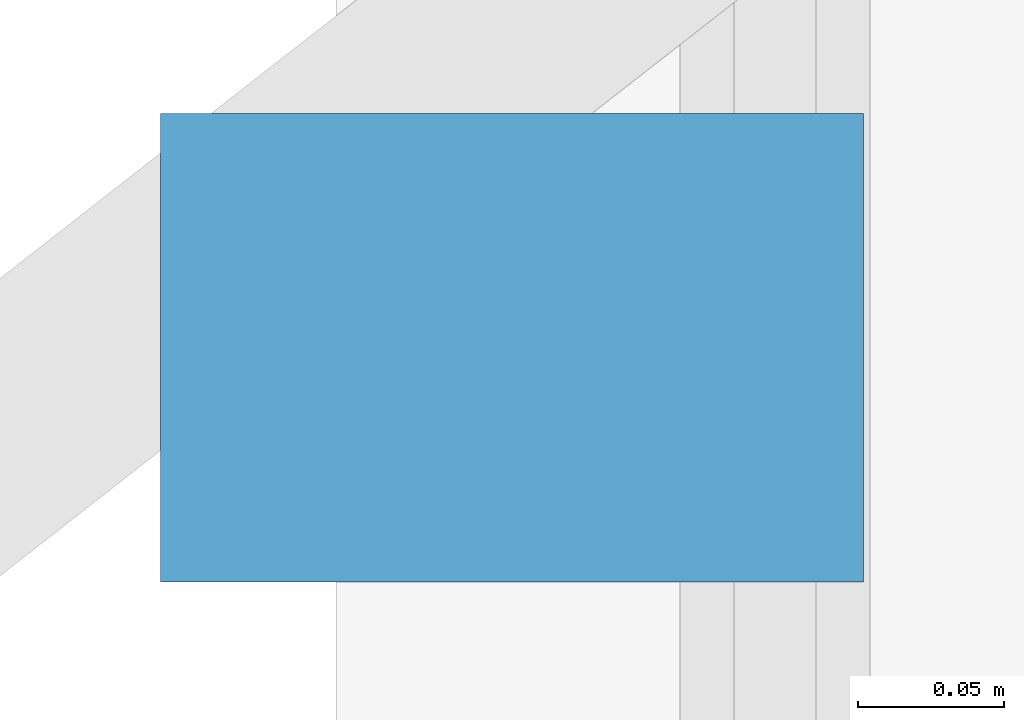
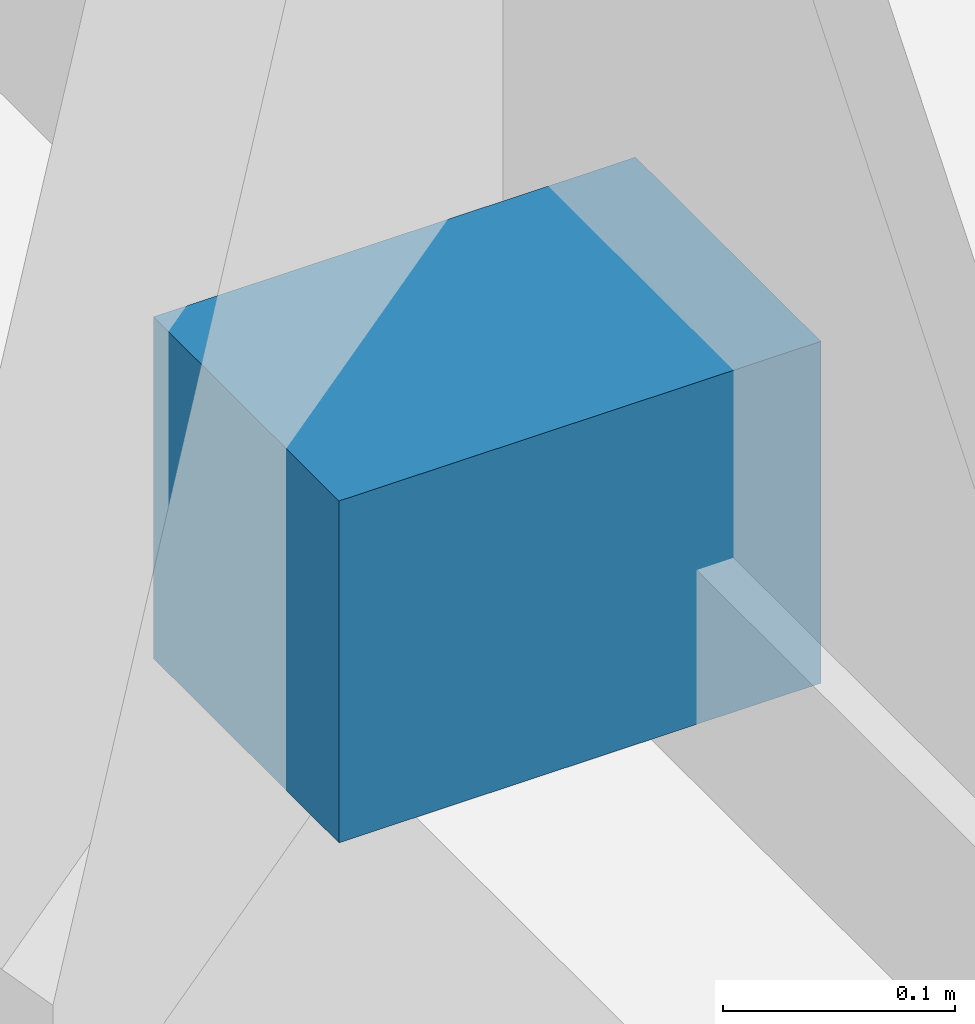
# One storey, part 27 of 29: 1 discrete accessory.
"""IFC4 building model written with IfcOpenShell, lengths in metres."""

from ifc_helpers import new_model, si_unit, direction, frame, origin, origin_2d, place, context, subcontext, project, spatial, rectangle, extrude, material, type_object, element, save


model = new_model("IFC4")

# Units and contexts
model_context = context("Model", 3, precision=1e-05, world=origin(), true_north=direction((0.0, 1.0)))
body_context = subcontext(model_context, "Body", "Model", "MODEL_VIEW")
ifc_project = project(units=[si_unit("LENGTHUNIT", "METRE"), si_unit("AREAUNIT", "SQUARE_METRE"), si_unit("VOLUMEUNIT", "CUBIC_METRE"), si_unit("PLANEANGLEUNIT", "RADIAN"), si_unit("MASSUNIT", "GRAM", prefix="KILO")], contexts=[model_context])

# Site, building, storey
site_placement = place(None, origin())
site = spatial("IfcSite", under=ifc_project, at=site_placement, CompositionType="ELEMENT")
building_placement = place(site_placement, origin())
building = spatial("IfcBuilding", under=site, at=building_placement, Name="Calvorn Quay Hotel", CompositionType="ELEMENT")
storey_placement = place(building_placement, frame((0.0, 0.0, 38.39990234375)))
storey = spatial("IfcBuildingStorey", under=building, at=storey_placement, Name="L08", CompositionType="ELEMENT", Elevation=38.39990234375)

# Discrete accessory
ifc_material = material(Name="Steel Q355B", Category="steel")
discrete_accessory_type = type_object("IfcDiscreteAccessoryType", Name="ACC-FIN-BRACKET", PredefinedType="BRACKET", material=ifc_material)
discrete_accessory_placement = place(storey_placement, frame((0.06005859375, 37.25, 0.0302734375), z_axis=(0.0, 0.0, 1.0), x_axis=(1.0, 0.0, 0.0)))
element("IfcDiscreteAccessory", 1, at=discrete_accessory_placement, inside=storey, type_object=discrete_accessory_type, Name="Fin Anchor Bracket L08-W03", PredefinedType="BRACKET", context=body_context, shape_type="SweptSolid", body=[
    extrude(rectangle(XDim=0.239990234375, YDim=0.159912109375, at=origin_2d()), origin(), (0.0, 0.0, 1.0), 0.179931640625),
])

save(model, "model.ifc")
